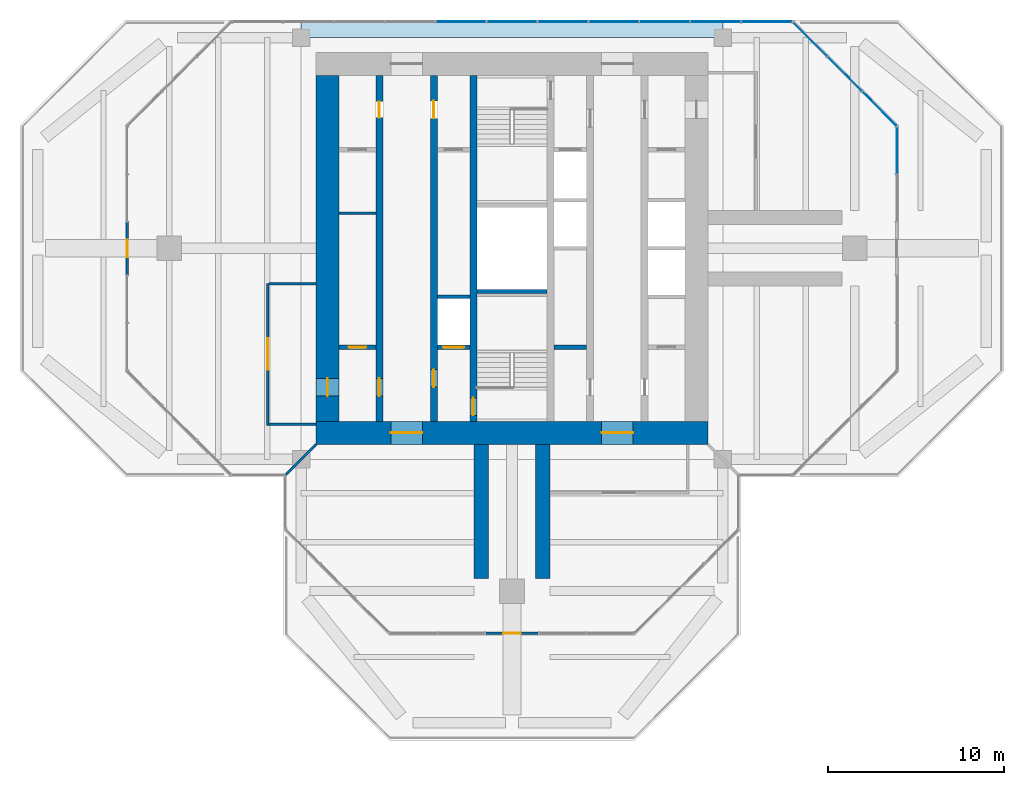
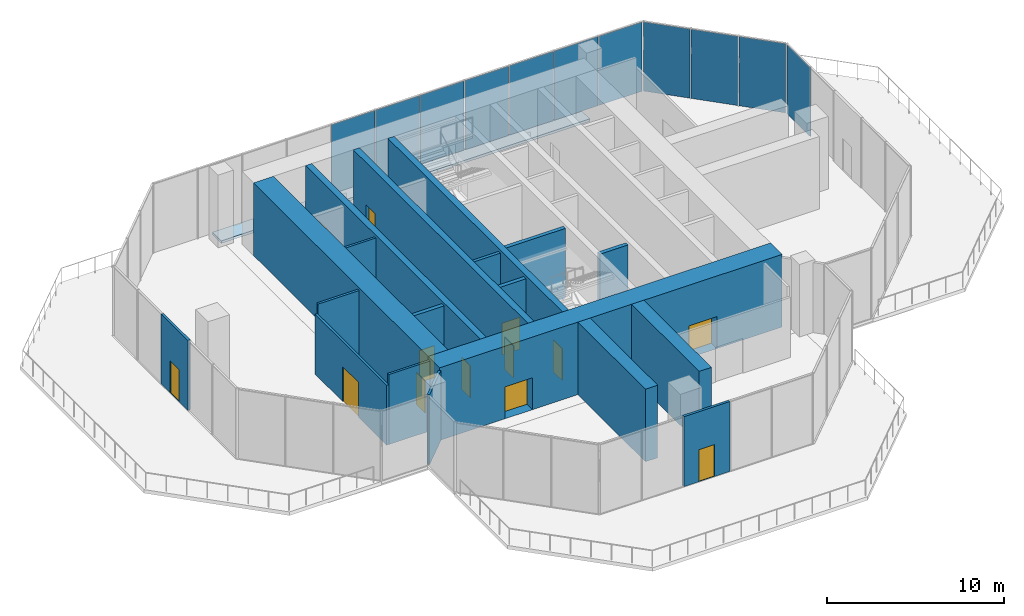
# One storey, part 9 of 13: 19 walls, 13 doors, 11 plates, 1 slab, 13 openings, 3 elements without a shape of their own.
"""IFC4 building model written with IfcOpenShell, lengths in metres."""

from ifc_helpers import new_model, si_unit, direction, frame, frame_2d, origin, origin_2d, place, context, subcontext, project, spatial, polyline, rectangle, outline, extrude, material, layer, layer_set, type_object, element, fill, aggregate, save


model = new_model("IFC4")

# Units and contexts
model_context = context("Model", 3, precision=1e-05, world=origin(), true_north=direction((0.0, 1.0)))
body_context = subcontext(model_context, "Body", "Model", "MODEL_VIEW")
ifc_project = project(units=[si_unit("LENGTHUNIT", "METRE"), si_unit("AREAUNIT", "SQUARE_METRE"), si_unit("VOLUMEUNIT", "CUBIC_METRE"), si_unit("PLANEANGLEUNIT", "RADIAN"), si_unit("MASSUNIT", "GRAM", prefix="KILO")], contexts=[model_context])

# Site, building, storey
site_placement = place(None, origin())
site = spatial("IfcSite", under=ifc_project, at=site_placement, CompositionType="ELEMENT")
building_placement = place(site_placement, origin())
building = spatial("IfcBuilding", under=site, at=building_placement, Name="Mizan Broadcast Tower", CompositionType="ELEMENT")
storey_placement = place(building_placement, frame((0.0, 0.0, 306.300048828125)))
storey = spatial("IfcBuildingStorey", under=building, at=storey_placement, Name="L73", CompositionType="ELEMENT", Elevation=306.300048828125)

# Curtain wall, plate
ifc_material_1 = material(Name="Aluminium framed glazing", Category="aluminium")
curtain_wall_type = type_object("IfcCurtainWallType", Name="LANTERN", PredefinedType="USERDEFINED", material=ifc_material_1)
curtain_wall_1_placement = place(storey_placement, origin())
curtain_wall_1 = element("IfcCurtainWall", 1, at=curtain_wall_1_placement, inside=storey, type_object=curtain_wall_type, Name="Lantern L73 E end", ObjectType="LANTERN", PredefinedType="USERDEFINED")
ifc_material_2 = material(Name="Double glazing, clear laminated", Category="glass")
ifc_layer_1 = layer(ifc_material_2, 0.031982421875)
ifc_layer_set_1 = layer_set([ifc_layer_1], Name="Double glazing, clear laminated")
plate_type = type_object("IfcPlateType", Name="PODIUM GLAZING UNIT", PredefinedType="CURTAIN_PANEL", material=ifc_layer_set_1)
plate_1_placement = place(storey_placement, frame((21.89990234375, 5.578857421875, 0.0), z_axis=(0.0, 0.0, 1.0), x_axis=(0.0, 1.0, 0.0)))
plate_1 = element("IfcPlate", 2, at=plate_1_placement, type_object=plate_type, Name="Lantern L73 E end panel 2.1", PredefinedType="CURTAIN_PANEL", context=body_context, shape_type="SweptSolid", body=[
    extrude(rectangle(XDim=2.639404296875, YDim=0.031982421875, at=origin_2d()), origin(), (0.0, 0.0, 1.0), 4.760009765625),
])
aggregate(curtain_wall_1, [plate_1])

# Curtain wall, plates
curtain_wall_2_placement = place(storey_placement, origin())
curtain_wall_2 = element("IfcCurtainWall", 3, at=curtain_wall_2_placement, inside=storey, type_object=curtain_wall_type, Name="Lantern L73 E chamfer", ObjectType="LANTERN", PredefinedType="USERDEFINED")
plate_2_placement = place(storey_placement, frame((20.899169921875, 7.95947265625, 0.0), z_axis=(0.0, 0.0, 1.0), x_axis=(-0.707106781187, 0.707106781187, 0.0)))
plate_2 = element("IfcPlate", 4, at=plate_2_placement, type_object=plate_type, Name="Lantern L73 E chamfer panel 1.1", PredefinedType="CURTAIN_PANEL", context=body_context, shape_type="SweptSolid", body=[
    extrude(rectangle(XDim=2.710693359375, YDim=0.031982421875, at=origin_2d()), origin(), (0.0, 0.0, 1.0), 4.760009765625),
])
plate_3_placement = place(storey_placement, frame((18.92919921875, 9.92919921875, 0.0), z_axis=(0.0, 0.0, 1.0), x_axis=(-0.707106781187, 0.707106781187, 0.0)))
plate_3 = element("IfcPlate", 5, at=plate_3_placement, type_object=plate_type, Name="Lantern L73 E chamfer panel 2.1", PredefinedType="CURTAIN_PANEL", context=body_context, shape_type="SweptSolid", body=[
    extrude(rectangle(XDim=2.74072265625, YDim=0.031982421875, at=origin_2d()), origin(), (0.0, 0.0, 1.0), 4.760009765625),
])
plate_4_placement = place(storey_placement, frame((16.95947265625, 11.899169921875, 0.0), z_axis=(0.0, 0.0, 1.0), x_axis=(-0.707106781187, 0.707106781187, 0.0)))
plate_4 = element("IfcPlate", 6, at=plate_4_placement, type_object=plate_type, Name="Lantern L73 E chamfer panel 3.1", PredefinedType="CURTAIN_PANEL", context=body_context, shape_type="SweptSolid", body=[
    extrude(rectangle(XDim=2.710693359375, YDim=0.031982421875, at=origin_2d()), origin(), (0.0, 0.0, 1.0), 4.760009765625),
])
aggregate(curtain_wall_2, [plate_2, plate_3, plate_4])

curtain_wall_3_placement = place(storey_placement, origin())
curtain_wall_3 = element("IfcCurtainWall", 7, at=curtain_wall_3_placement, inside=storey, type_object=curtain_wall_type, Name="Lantern L73 N end", ObjectType="LANTERN", PredefinedType="USERDEFINED")
plate_5_placement = place(storey_placement, frame((14.492919921875, 12.89990234375, 0.0), z_axis=(0.0, 0.0, 1.0), x_axis=(-1.0, 0.0, 0.0)))
plate_5 = element("IfcPlate", 8, at=plate_5_placement, type_object=plate_type, Name="Lantern L73 N end panel 1.1", PredefinedType="CURTAIN_PANEL", context=body_context, shape_type="SweptSolid", body=[
    extrude(rectangle(XDim=2.8115234375, YDim=0.031982421875, at=origin_2d()), origin(), (0.0, 0.0, 1.0), 4.760009765625),
])
plate_6_placement = place(storey_placement, frame((11.606201171875, 12.89990234375, 0.0), z_axis=(0.0, 0.0, 1.0), x_axis=(-1.0, 0.0, 0.0)))
plate_6 = element("IfcPlate", 9, at=plate_6_placement, type_object=plate_type, Name="Lantern L73 N end panel 2.1", PredefinedType="CURTAIN_PANEL", context=body_context, shape_type="SweptSolid", body=[
    extrude(rectangle(XDim=2.841552734375, YDim=0.031982421875, at=origin_2d()), origin(), (0.0, 0.0, 1.0), 4.760009765625),
])
plate_7_placement = place(storey_placement, frame((8.70458984375, 12.89990234375, 0.0), z_axis=(0.0, 0.0, 1.0), x_axis=(-1.0, 0.0, 0.0)))
plate_7 = element("IfcPlate", 10, at=plate_7_placement, type_object=plate_type, Name="Lantern L73 N end panel 3.1", PredefinedType="CURTAIN_PANEL", context=body_context, shape_type="SweptSolid", body=[
    extrude(rectangle(XDim=2.841552734375, YDim=0.031982421875, at=origin_2d()), origin(), (0.0, 0.0, 1.0), 4.760009765625),
])
plate_8_placement = place(storey_placement, frame((5.80322265625, 12.89990234375, 0.0), z_axis=(0.0, 0.0, 1.0), x_axis=(-1.0, 0.0, 0.0)))
plate_8 = element("IfcPlate", 11, at=plate_8_placement, type_object=plate_type, Name="Lantern L73 N end panel 4.1", PredefinedType="CURTAIN_PANEL", context=body_context, shape_type="SweptSolid", body=[
    extrude(rectangle(XDim=2.841552734375, YDim=0.031982421875, at=origin_2d()), origin(), (0.0, 0.0, 1.0), 4.760009765625),
])
plate_9_placement = place(storey_placement, frame((2.901611328125, 12.89990234375, 0.0), z_axis=(0.0, 0.0, 1.0), x_axis=(-1.0, 0.0, 0.0)))
plate_9 = element("IfcPlate", 12, at=plate_9_placement, type_object=plate_type, Name="Lantern L73 N end panel 5.1", PredefinedType="CURTAIN_PANEL", context=body_context, shape_type="SweptSolid", body=[
    extrude(rectangle(XDim=2.841552734375, YDim=0.031982421875, at=origin_2d()), origin(), (0.0, 0.0, 1.0), 4.760009765625),
])
plate_10_placement = place(storey_placement, frame((0.0, 12.89990234375, 0.0), z_axis=(0.0, 0.0, 1.0), x_axis=(-1.0, 0.0, 0.0)))
plate_10 = element("IfcPlate", 13, at=plate_10_placement, type_object=plate_type, Name="Lantern L73 N end panel 6.1", PredefinedType="CURTAIN_PANEL", context=body_context, shape_type="SweptSolid", body=[
    extrude(rectangle(XDim=2.841552734375, YDim=0.031982421875, at=origin_2d()), origin(), (0.0, 0.0, 1.0), 4.760009765625),
])
plate_11_placement = place(storey_placement, frame((-2.901611328125, 12.89990234375, 0.0), z_axis=(0.0, 0.0, 1.0), x_axis=(-1.0, 0.0, 0.0)))
plate_11 = element("IfcPlate", 14, at=plate_11_placement, type_object=plate_type, Name="Lantern L73 N end panel 7.1", PredefinedType="CURTAIN_PANEL", context=body_context, shape_type="SweptSolid", body=[
    extrude(rectangle(XDim=2.841552734375, YDim=0.031982421875, at=origin_2d()), origin(), (0.0, 0.0, 1.0), 4.760009765625),
])
aggregate(curtain_wall_3, [plate_5, plate_6, plate_7, plate_8, plate_9, plate_10, plate_11])

# Slab
ifc_material_3 = material(Name="Concrete C32/40", Category="concrete")
ifc_layer_2 = layer(ifc_material_3, 0.179931640625)
ifc_layer_set_2 = layer_set([ifc_layer_2], Name="Concrete C32/40")
slab_type = type_object("IfcSlabType", Name="RC SLAB ON DECK 180", PredefinedType="FLOOR", material=ifc_layer_set_2)
slab_placement = place(storey_placement, frame((0.0, 0.0, -0.179931640625)))
element("IfcSlab", 15, at=slab_placement, inside=storey, type_object=slab_type, Name="Floor slab L73 north arm", PredefinedType="FLOOR", context=body_context, shape_type="SweptSolid", body=[
    extrude(outline(polyline([(12.0, 13.0), (-12.0, 13.0), (-12.0, 12.0), (12.0, 12.0), (12.0, 13.0)])), origin(), (0.0, 0.0, 1.0), 0.179931640625),
])

# Wall, openings, doors
ifc_material_4 = material(Name="Concrete C70/85", Category="concrete")
ifc_layer_3 = layer(ifc_material_4, 0.39990234375)
ifc_layer_set_3 = layer_set([ifc_layer_3], Name="Concrete C70/85")
wall_type_1 = type_object("IfcWallType", Name="CORE INTERNAL WALL 400", PredefinedType="SHEAR", material=ifc_layer_set_3)
wall_1_placement = place(storey_placement, frame((-7.550048828125, -9.85009765625, 0.0), z_axis=(0.0, 0.0, 1.0), x_axis=(0.0, 1.0, 0.0)))
wall_1 = element("IfcWall", 16, at=wall_1_placement, inside=storey, type_object=wall_type_1, Name="Core wall CORE/XW1", PredefinedType="SHEAR", context=body_context, shape_type="SweptSolid", body=[
    extrude(rectangle(XDim=19.7001953125, YDim=0.39990234375, at=frame_2d((9.85009765625, 0.0))), origin(), (0.0, 0.0, 1.0), 5.0),
])
opening_1_placement = place(wall_1_placement, frame((1.449951171875, 0.0, 0.0)))
opening_1 = element("IfcOpeningElement", 17, at=opening_1_placement, cuts=wall_1, Name="Opening D10F", PredefinedType="OPENING", context=body_context, shape_type="SweptSolid", body=[
    extrude(rectangle(XDim=1.0, YDim=2.199951171875, at=frame_2d((0.5, 1.10009765625))), frame((0.0, 0.2099609375, 0.0), z_axis=(0.0, -1.0, 0.0), x_axis=(1.0, 0.0, 0.0)), (0.0, 0.0, 1.0), 0.419921875),
])
opening_2_placement = place(wall_1_placement, frame((17.300048828125, 0.0, 0.0)))
opening_2 = element("IfcOpeningElement", 18, at=opening_2_placement, cuts=wall_1, Name="Opening D09", PredefinedType="OPENING", context=body_context, shape_type="SweptSolid", body=[
    extrude(rectangle(XDim=0.89990234375, YDim=2.10009765625, at=frame_2d((0.449951171875, 1.050048828125))), frame((0.0, 0.2099609375, 0.0), z_axis=(0.0, -1.0, 0.0), x_axis=(1.0, 0.0, 0.0)), (0.0, 0.0, 1.0), 0.419921875),
])
ifc_material_5 = material(Name="Steel door leaf in steel frame", Category="steel")
door_type_1 = type_object("IfcDoorType", Name="FIRE DOOR 1000 FD90", OperationType="SINGLE_SWING_LEFT", PredefinedType="DOOR", material=ifc_material_5)
door_1_placement = place(opening_1_placement, origin())
door_1 = element("IfcDoor", 19, at=door_1_placement, inside=storey, type_object=door_type_1, Name="West core passage door", OperationType="SINGLE_SWING_LEFT", OverallHeight=2.199951171875, OverallWidth=1.0, PredefinedType="DOOR", context=body_context, shape_type="SweptSolid", body=[
    extrude(rectangle(XDim=1.0, YDim=2.199951171875, at=frame_2d((0.5, 1.10009765625))), frame((0.0, 0.02490234375, 0.0), z_axis=(0.0, -1.0, 0.0), x_axis=(1.0, 0.0, 0.0)), (0.0, 0.0, 1.0), 0.050048828125),
])
fill(opening_1, door_1)
ifc_material_6 = material(Name="Timber door leaf in aluminium frame", Category="wood")
door_type_2 = type_object("IfcDoorType", Name="TOILET DOOR 900", OperationType="SINGLE_SWING_LEFT", PredefinedType="DOOR", material=ifc_material_6)
door_2_placement = place(opening_2_placement, origin())
door_2 = element("IfcDoor", 20, at=door_2_placement, inside=storey, type_object=door_type_2, Name="Male WC door", OperationType="SINGLE_SWING_RIGHT", OverallHeight=2.10009765625, OverallWidth=0.89990234375, PredefinedType="DOOR", context=body_context, shape_type="SweptSolid", body=[
    extrude(rectangle(XDim=0.89990234375, YDim=2.10009765625, at=frame_2d((0.449951171875, 1.050048828125))), frame((0.0, 0.02490234375, 0.0), z_axis=(0.0, -1.0, 0.0), x_axis=(1.0, 0.0, 0.0)), (0.0, 0.0, 1.0), 0.050048828125),
])
fill(opening_2, door_2)

wall_2_placement = place(storey_placement, frame((-4.449951171875, -9.85009765625, 0.0), z_axis=(0.0, 0.0, 1.0), x_axis=(0.0, 1.0, 0.0)))
wall_2 = element("IfcWall", 21, at=wall_2_placement, inside=storey, type_object=wall_type_1, Name="Core wall CORE/XWH", PredefinedType="SHEAR", context=body_context, shape_type="SweptSolid", body=[
    extrude(rectangle(XDim=19.7001953125, YDim=0.39990234375, at=frame_2d((9.85009765625, 0.0))), origin(), (0.0, 0.0, 1.0), 5.0),
])
opening_3_placement = place(wall_2_placement, frame((1.949951171875, 0.0, 0.0)))
opening_3 = element("IfcOpeningElement", 22, at=opening_3_placement, cuts=wall_2, Name="Opening D10F", PredefinedType="OPENING", context=body_context, shape_type="SweptSolid", body=[
    extrude(rectangle(XDim=1.0, YDim=2.199951171875, at=frame_2d((0.5, 1.10009765625))), frame((0.0, 0.2099609375, 0.0), z_axis=(0.0, -1.0, 0.0), x_axis=(1.0, 0.0, 0.0)), (0.0, 0.0, 1.0), 0.419921875),
])
opening_4_placement = place(wall_2_placement, frame((17.25, 0.0, 0.0)))
opening_4 = element("IfcOpeningElement", 23, at=opening_4_placement, cuts=wall_2, Name="Opening D10A", PredefinedType="OPENING", context=body_context, shape_type="SweptSolid", body=[
    extrude(rectangle(XDim=1.0, YDim=2.10009765625, at=frame_2d((0.5, 1.050048828125))), frame((0.0, 0.2099609375, 0.0), z_axis=(0.0, -1.0, 0.0), x_axis=(1.0, 0.0, 0.0)), (0.0, 0.0, 1.0), 0.419921875),
])
ifc_material_7 = material(Name="Timber door leaf in aluminium frame", Category="wood")
door_type_3 = type_object("IfcDoorType", Name="ACCESSIBLE WC DOOR 1000", OperationType="SLIDING_TO_LEFT", PredefinedType="DOOR", material=ifc_material_7)
door_3_placement = place(opening_4_placement, origin())
door_3 = element("IfcDoor", 24, at=door_3_placement, inside=storey, type_object=door_type_3, Name="Accessible WC door", OperationType="SLIDING_TO_LEFT", OverallHeight=2.10009765625, OverallWidth=1.0, PredefinedType="DOOR", context=body_context, shape_type="SweptSolid", body=[
    extrude(rectangle(XDim=1.0, YDim=2.10009765625, at=frame_2d((0.5, 1.050048828125))), frame((0.0, 0.02490234375, 0.0), z_axis=(0.0, -1.0, 0.0), x_axis=(1.0, 0.0, 0.0)), (0.0, 0.0, 1.0), 0.050048828125),
])
fill(opening_4, door_3)
door_4_placement = place(opening_3_placement, origin())
door_4 = element("IfcDoor", 25, at=door_4_placement, inside=storey, type_object=door_type_1, Name="Firefighting lobby A door", OperationType="SINGLE_SWING_LEFT", OverallHeight=2.199951171875, OverallWidth=1.0, PredefinedType="DOOR", context=body_context, shape_type="SweptSolid", body=[
    extrude(rectangle(XDim=1.0, YDim=2.199951171875, at=frame_2d((0.5, 1.10009765625))), frame((0.0, 0.02490234375, 0.0), z_axis=(0.0, -1.0, 0.0), x_axis=(1.0, 0.0, 0.0)), (0.0, 0.0, 1.0), 0.050048828125),
])
fill(opening_3, door_4)

# Wall, opening, door
wall_3_placement = place(storey_placement, frame((-2.199951171875, -9.85009765625, 0.0), z_axis=(0.0, 0.0, 1.0), x_axis=(0.0, 1.0, 0.0)))
wall_3 = element("IfcWall", 26, at=wall_3_placement, inside=storey, type_object=wall_type_1, Name="Core wall CORE/XW2", PredefinedType="SHEAR", context=body_context, shape_type="SweptSolid", body=[
    extrude(rectangle(XDim=19.7001953125, YDim=0.39990234375, at=frame_2d((9.85009765625, 0.0))), origin(), (0.0, 0.0, 1.0), 5.0),
])
opening_5_placement = place(wall_3_placement, frame((0.35009765625, 0.0, 0.0)))
opening_5 = element("IfcOpeningElement", 27, at=opening_5_placement, cuts=wall_3, Name="Opening D10S", PredefinedType="OPENING", context=body_context, shape_type="SweptSolid", body=[
    extrude(rectangle(XDim=1.0, YDim=2.199951171875, at=frame_2d((0.5, 1.10009765625))), frame((0.0, 0.2099609375, 0.0), z_axis=(0.0, -1.0, 0.0), x_axis=(1.0, 0.0, 0.0)), (0.0, 0.0, 1.0), 0.419921875),
])
ifc_material_8 = material(Name="Steel door leaf in steel frame", Category="steel")
door_type_4 = type_object("IfcDoorType", Name="STAIR DOOR 1000 FD90S", OperationType="SINGLE_SWING_RIGHT", PredefinedType="DOOR", material=ifc_material_8)
door_5_placement = place(opening_5_placement, origin())
door_5 = element("IfcDoor", 28, at=door_5_placement, inside=storey, type_object=door_type_4, Name="Stair A door", OperationType="SINGLE_SWING_RIGHT", OverallHeight=2.199951171875, OverallWidth=1.0, PredefinedType="DOOR", context=body_context, shape_type="SweptSolid", body=[
    extrude(rectangle(XDim=1.0, YDim=2.199951171875, at=frame_2d((0.5, 1.10009765625))), frame((0.0, 0.02490234375, 0.0), z_axis=(0.0, -1.0, 0.0), x_axis=(1.0, 0.0, 0.0)), (0.0, 0.0, 1.0), 0.050048828125),
])
fill(opening_5, door_5)

# Wall
ifc_material_9 = material(Name="Concrete blockwork", Category="masonry")
ifc_layer_4 = layer(ifc_material_9, 0.14990234375)
ifc_layer_set_4 = layer_set([ifc_layer_4], Name="Concrete blockwork")
wall_type_2 = type_object("IfcWallType", Name="CORE PARTITION 150", PredefinedType="SOLIDWALL", material=ifc_layer_set_4)
wall_4_placement = place(storey_placement, frame((-9.85009765625, 2.0, 0.0), z_axis=(0.0, 0.0, 1.0), x_axis=(1.0, 0.0, 0.0)))
element("IfcWall", 29, at=wall_4_placement, inside=storey, type_object=wall_type_2, Name="Core partition CORE/XP1", PredefinedType="SOLIDWALL", context=body_context, shape_type="SweptSolid", body=[
    extrude(rectangle(XDim=2.10009765625, YDim=0.14990234375, at=frame_2d((1.050048828125, 0.0))), origin(), (0.0, 0.0, 1.0), 4.820068359375),
])

# Wall, openings, doors
ifc_material_10 = material(Name="Concrete C70/85", Category="concrete")
ifc_layer_5 = layer(ifc_material_10, 1.300048828125)
ifc_layer_set_5 = layer_set([ifc_layer_5], Name="Concrete C70/85")
wall_type_3 = type_object("IfcWallType", Name="CORE WALL 1300", PredefinedType="SHEAR", material=ifc_layer_set_5)
wall_5_placement = place(storey_placement, frame((11.14990234375, -10.5, 0.0), z_axis=(0.0, 0.0, 1.0), x_axis=(-1.0, 0.0, 0.0)))
wall_5 = element("IfcWall", 30, at=wall_5_placement, inside=storey, type_object=wall_type_3, Name="Core wall S L73", PredefinedType="SHEAR", context=body_context, shape_type="SweptSolid", body=[
    extrude(rectangle(XDim=22.2998046875, YDim=1.300048828125, at=frame_2d((11.14990234375, 0.0))), origin(), (0.0, 0.0, 1.0), 5.0),
])
opening_6_placement = place(wall_5_placement, frame((16.25, 0.0, 0.0)))
opening_6 = element("IfcOpeningElement", 31, at=opening_6_placement, cuts=wall_5, Name="Opening D18F", PredefinedType="OPENING", context=body_context, shape_type="SweptSolid", body=[
    extrude(rectangle(XDim=1.800048828125, YDim=2.199951171875, at=frame_2d((0.89990234375, 1.10009765625))), frame((0.0, 0.659912109375, 0.0), z_axis=(0.0, -1.0, 0.0), x_axis=(1.0, 0.0, 0.0)), (0.0, 0.0, 1.0), 1.320068359375),
])
opening_7_placement = place(wall_5_placement, frame((4.25, 0.0, 0.0)))
opening_7 = element("IfcOpeningElement", 32, at=opening_7_placement, cuts=wall_5, Name="Opening D18F", PredefinedType="OPENING", context=body_context, shape_type="SweptSolid", body=[
    extrude(rectangle(XDim=1.800048828125, YDim=2.199951171875, at=frame_2d((0.89990234375, 1.10009765625))), frame((0.0, 0.659912109375, 0.0), z_axis=(0.0, -1.0, 0.0), x_axis=(1.0, 0.0, 0.0)), (0.0, 0.0, 1.0), 1.320068359375),
])
ifc_material_11 = material(Name="Steel door leaf in steel frame", Category="steel")
door_type_5 = type_object("IfcDoorType", Name="LOBBY DOUBLE DOOR 1800 FD90", OperationType="DOUBLE_DOOR_DOUBLE_SWING", PredefinedType="DOOR", material=ifc_material_11)
door_6_placement = place(opening_6_placement, origin())
door_6 = element("IfcDoor", 33, at=door_6_placement, inside=storey, type_object=door_type_5, Name="West lift lobby south door", OperationType="DOUBLE_DOOR_DOUBLE_SWING", OverallHeight=2.199951171875, OverallWidth=1.800048828125, PredefinedType="DOOR", context=body_context, shape_type="SweptSolid", body=[
    extrude(rectangle(XDim=1.800048828125, YDim=2.199951171875, at=frame_2d((0.89990234375, 1.10009765625))), frame((0.0, 0.02490234375, 0.0), z_axis=(0.0, -1.0, 0.0), x_axis=(1.0, 0.0, 0.0)), (0.0, 0.0, 1.0), 0.050048828125),
])
fill(opening_6, door_6)
door_7_placement = place(opening_7_placement, origin())
door_7 = element("IfcDoor", 34, at=door_7_placement, inside=storey, type_object=door_type_5, Name="East lift lobby south door", OperationType="DOUBLE_DOOR_DOUBLE_SWING", OverallHeight=2.199951171875, OverallWidth=1.800048828125, PredefinedType="DOOR", context=body_context, shape_type="SweptSolid", body=[
    extrude(rectangle(XDim=1.800048828125, YDim=2.199951171875, at=frame_2d((0.89990234375, 1.10009765625))), frame((0.0, 0.02490234375, 0.0), z_axis=(0.0, -1.0, 0.0), x_axis=(1.0, 0.0, 0.0)), (0.0, 0.0, 1.0), 0.050048828125),
])
fill(opening_7, door_7)

# Wall, opening, door
wall_6_placement = place(storey_placement, frame((-10.5, 9.85009765625, 0.0), z_axis=(0.0, 0.0, 1.0), x_axis=(0.0, -1.0, 0.0)))
wall_6 = element("IfcWall", 35, at=wall_6_placement, inside=storey, type_object=wall_type_3, Name="Core wall W L73", PredefinedType="SHEAR", context=body_context, shape_type="SweptSolid", body=[
    extrude(rectangle(XDim=19.7001953125, YDim=1.300048828125, at=frame_2d((9.85009765625, 0.0))), origin(), (0.0, 0.0, 1.0), 5.0),
])
opening_8_placement = place(wall_6_placement, frame((17.25, 0.0, 0.0)))
opening_8 = element("IfcOpeningElement", 36, at=opening_8_placement, cuts=wall_6, Name="Opening D10F", PredefinedType="OPENING", context=body_context, shape_type="SweptSolid", body=[
    extrude(rectangle(XDim=1.0, YDim=2.199951171875, at=frame_2d((0.5, 1.10009765625))), frame((0.0, 0.659912109375, 0.0), z_axis=(0.0, -1.0, 0.0), x_axis=(1.0, 0.0, 0.0)), (0.0, 0.0, 1.0), 1.320068359375),
])
door_8_placement = place(opening_8_placement, origin())
door_8 = element("IfcDoor", 37, at=door_8_placement, inside=storey, type_object=door_type_1, Name="West core passage arm door", OperationType="SINGLE_SWING_RIGHT", OverallHeight=2.199951171875, OverallWidth=1.0, PredefinedType="DOOR", context=body_context, shape_type="SweptSolid", body=[
    extrude(rectangle(XDim=1.0, YDim=2.199951171875, at=frame_2d((0.5, 1.10009765625))), frame((0.0, 0.02490234375, 0.0), z_axis=(0.0, -1.0, 0.0), x_axis=(1.0, 0.0, 0.0)), (0.0, 0.0, 1.0), 0.050048828125),
])
fill(opening_8, door_8)

ifc_material_12 = material(Name="Aluminium framed glazed screen", Category="aluminium")
ifc_layer_6 = layer(ifc_material_12, 0.159912109375)
ifc_layer_set_6 = layer_set([ifc_layer_6], Name="Aluminium framed glazed screen")
wall_type_4 = type_object("IfcWallType", Name="GLAZED SCREEN WALL 160", PredefinedType="SOLIDWALL", material=ifc_layer_set_6)
wall_7_placement = place(storey_placement, frame((-21.89990234375, 1.5, 0.0), z_axis=(0.0, 0.0, 1.0), x_axis=(0.0, -1.0, 0.0)))
wall_7 = element("IfcWall", 38, at=wall_7_placement, inside=storey, type_object=wall_type_4, Name="Roof access screen wall L73 W", PredefinedType="SOLIDWALL", context=body_context, shape_type="SweptSolid", body=[
    extrude(rectangle(XDim=3.0, YDim=0.159912109375, at=frame_2d((1.5, 0.0))), origin(), (0.0, 0.0, 1.0), 4.820068359375),
])
opening_9_placement = place(wall_7_placement, frame((1.0, 0.0, 0.0)))
opening_9 = element("IfcOpeningElement", 39, at=opening_9_placement, cuts=wall_7, Name="Opening RA", PredefinedType="OPENING", context=body_context, shape_type="SweptSolid", body=[
    extrude(rectangle(XDim=1.0, YDim=2.199951171875, at=frame_2d((0.5, 1.10009765625))), frame((0.0, 0.08984375, 0.0), z_axis=(0.0, -1.0, 0.0), x_axis=(1.0, 0.0, 0.0)), (0.0, 0.0, 1.0), 0.179931640625),
])
ifc_material_13 = material(Name="Steel door", Category="steel")
door_type_6 = type_object("IfcDoorType", Name="ROOF ACCESS DOOR 1000", OperationType="SINGLE_SWING_LEFT", PredefinedType="DOOR", material=ifc_material_13)
door_9_placement = place(opening_9_placement, origin())
door_9 = element("IfcDoor", 40, at=door_9_placement, inside=storey, type_object=door_type_6, Name="Roof access door L73 W", OperationType="SINGLE_SWING_LEFT", OverallHeight=2.199951171875, OverallWidth=1.0, PredefinedType="DOOR", context=body_context, shape_type="SweptSolid", body=[
    extrude(rectangle(XDim=1.0, YDim=2.199951171875, at=frame_2d((0.5, 1.10009765625))), frame((0.0, 0.02490234375, 0.0), z_axis=(0.0, -1.0, 0.0), x_axis=(1.0, 0.0, 0.0)), (0.0, 0.0, 1.0), 0.050048828125),
])
fill(opening_9, door_9)

wall_8_placement = place(storey_placement, frame((-1.5, -21.89990234375, 0.0), z_axis=(0.0, 0.0, 1.0), x_axis=(1.0, 0.0, 0.0)))
wall_8 = element("IfcWall", 41, at=wall_8_placement, inside=storey, type_object=wall_type_4, Name="Roof access screen wall L73 S", PredefinedType="SOLIDWALL", context=body_context, shape_type="SweptSolid", body=[
    extrude(rectangle(XDim=3.0, YDim=0.159912109375, at=frame_2d((1.5, 0.0))), origin(), (0.0, 0.0, 1.0), 4.820068359375),
])
opening_10_placement = place(wall_8_placement, frame((1.0, 0.0, 0.0)))
opening_10 = element("IfcOpeningElement", 42, at=opening_10_placement, cuts=wall_8, Name="Opening RA", PredefinedType="OPENING", context=body_context, shape_type="SweptSolid", body=[
    extrude(rectangle(XDim=1.0, YDim=2.199951171875, at=frame_2d((0.5, 1.10009765625))), frame((0.0, 0.08984375, 0.0), z_axis=(0.0, -1.0, 0.0), x_axis=(1.0, 0.0, 0.0)), (0.0, 0.0, 1.0), 0.179931640625),
])
door_10_placement = place(opening_10_placement, origin())
door_10 = element("IfcDoor", 43, at=door_10_placement, inside=storey, type_object=door_type_6, Name="Roof access door L73 S", OperationType="SINGLE_SWING_LEFT", OverallHeight=2.199951171875, OverallWidth=1.0, PredefinedType="DOOR", context=body_context, shape_type="SweptSolid", body=[
    extrude(rectangle(XDim=1.0, YDim=2.199951171875, at=frame_2d((0.5, 1.10009765625))), frame((0.0, 0.02490234375, 0.0), z_axis=(0.0, -1.0, 0.0), x_axis=(1.0, 0.0, 0.0)), (0.0, 0.0, 1.0), 0.050048828125),
])
fill(opening_10, door_10)

# Wall
ifc_material_14 = material(Name="Concrete blockwork", Category="masonry")
ifc_layer_7 = layer(ifc_material_14, 0.199951171875)
ifc_layer_set_7 = layer_set([ifc_layer_7], Name="Concrete blockwork")
wall_type_5 = type_object("IfcWallType", Name="LIFT SHAFT WALL 200", PredefinedType="SOLIDWALL", material=ifc_layer_set_7)
wall_9_placement = place(storey_placement, frame((-4.25, -2.75, 0.0), z_axis=(0.0, 0.0, 1.0), x_axis=(1.0, 0.0, 0.0)))
element("IfcWall", 44, at=wall_9_placement, inside=storey, type_object=wall_type_5, Name="Lift shaft wall CORE/SW2-1", PredefinedType="SOLIDWALL", context=body_context, shape_type="SweptSolid", body=[
    extrude(rectangle(XDim=1.85009765625, YDim=0.199951171875, at=frame_2d((0.925048828125, 0.0))), origin(), (0.0, 0.0, 1.0), 4.800048828125),
])

# Wall, opening, door
ifc_material_15 = material(Name="Concrete blockwork", Category="masonry")
ifc_layer_8 = layer(ifc_material_15, 0.25)
ifc_layer_set_8 = layer_set([ifc_layer_8], Name="Concrete blockwork")
wall_type_6 = type_object("IfcWallType", Name="LOBBY ENCLOSURE WALL 250", PredefinedType="SOLIDWALL", material=ifc_layer_set_8)
wall_10_placement = place(storey_placement, frame((-9.85009765625, -5.625, 0.0), z_axis=(0.0, 0.0, 1.0), x_axis=(1.0, 0.0, 0.0)))
wall_10 = element("IfcWall", 45, at=wall_10_placement, inside=storey, type_object=wall_type_6, Name="Lobby enclosure wall CORE/BW1S", PredefinedType="SOLIDWALL", context=body_context, shape_type="SweptSolid", body=[
    extrude(rectangle(XDim=2.10009765625, YDim=0.25, at=frame_2d((1.050048828125, 0.0))), origin(), (0.0, 0.0, 1.0), 4.800048828125),
])
opening_11_placement = place(wall_10_placement, frame((0.550048828125, 0.0, 0.0)))
opening_11 = element("IfcOpeningElement", 46, at=opening_11_placement, cuts=wall_10, Name="Opening D10F", PredefinedType="OPENING", context=body_context, shape_type="SweptSolid", body=[
    extrude(rectangle(XDim=1.0, YDim=2.199951171875, at=frame_2d((0.5, 1.10009765625))), frame((0.0, 0.135009765625, 0.0), z_axis=(0.0, -1.0, 0.0), x_axis=(1.0, 0.0, 0.0)), (0.0, 0.0, 1.0), 0.27001953125),
])
door_11_placement = place(opening_11_placement, origin())
door_11 = element("IfcDoor", 47, at=door_11_placement, inside=storey, type_object=door_type_1, Name="Engineer's office door", OperationType="SINGLE_SWING_RIGHT", OverallHeight=2.199951171875, OverallWidth=1.0, PredefinedType="DOOR", context=body_context, shape_type="SweptSolid", body=[
    extrude(rectangle(XDim=1.0, YDim=2.199951171875, at=frame_2d((0.5, 1.10009765625))), frame((0.0, 0.02490234375, 0.0), z_axis=(0.0, -1.0, 0.0), x_axis=(1.0, 0.0, 0.0)), (0.0, 0.0, 1.0), 0.050048828125),
])
fill(opening_11, door_11)

wall_11_placement = place(storey_placement, frame((-4.25, -5.625, 0.0), z_axis=(0.0, 0.0, 1.0), x_axis=(1.0, 0.0, 0.0)))
wall_11 = element("IfcWall", 48, at=wall_11_placement, inside=storey, type_object=wall_type_6, Name="Lobby enclosure wall CORE/BW2S", PredefinedType="SOLIDWALL", context=body_context, shape_type="SweptSolid", body=[
    extrude(rectangle(XDim=1.85009765625, YDim=0.25, at=frame_2d((0.925048828125, 0.0))), origin(), (0.0, 0.0, 1.0), 4.800048828125),
])
opening_12_placement = place(wall_11_placement, frame((0.324951171875, 0.0, 0.0)))
opening_12 = element("IfcOpeningElement", 49, at=opening_12_placement, cuts=wall_11, Name="Opening LDF", PredefinedType="OPENING", context=body_context, shape_type="SweptSolid", body=[
    extrude(rectangle(XDim=1.199951171875, YDim=2.199951171875, at=frame_2d((0.60009765625, 1.10009765625))), frame((0.0, 0.135009765625, 0.0), z_axis=(0.0, -1.0, 0.0), x_axis=(1.0, 0.0, 0.0)), (0.0, 0.0, 1.0), 0.27001953125),
])
ifc_material_16 = material(Name="Steel door leaf in steel frame", Category="steel")
door_type_7 = type_object("IfcDoorType", Name="FIREFIGHTING LIFT LANDING DOOR 1200", OperationType="SLIDING_TO_LEFT", PredefinedType="DOOR", material=ifc_material_16)
door_12_placement = place(opening_12_placement, origin())
door_12 = element("IfcDoor", 50, at=door_12_placement, inside=storey, type_object=door_type_7, Name="Landing door FF1", OperationType="SLIDING_TO_LEFT", OverallHeight=2.199951171875, OverallWidth=1.199951171875, PredefinedType="DOOR", context=body_context, shape_type="SweptSolid", body=[
    extrude(rectangle(XDim=1.199951171875, YDim=2.199951171875, at=frame_2d((0.60009765625, 1.10009765625))), frame((0.0, 0.02490234375, 0.0), z_axis=(0.0, -1.0, 0.0), x_axis=(1.0, 0.0, 0.0)), (0.0, 0.0, 1.0), 0.050048828125),
])
fill(opening_12, door_12)

# Walls
wall_12_placement = place(storey_placement, frame((2.39990234375, -5.625, 0.0), z_axis=(0.0, 0.0, 1.0), x_axis=(1.0, 0.0, 0.0)))
element("IfcWall", 51, at=wall_12_placement, inside=storey, type_object=wall_type_6, Name="Lobby enclosure wall CORE/BE2S", PredefinedType="SOLIDWALL", context=body_context, shape_type="SweptSolid", body=[
    extrude(rectangle(XDim=1.85009765625, YDim=0.25, at=frame_2d((0.925048828125, 0.0))), origin(), (0.0, 0.0, 1.0), 4.800048828125),
])
wall_13_placement = place(storey_placement, frame((-2.0, -2.449951171875, 0.0), z_axis=(0.0, 0.0, 1.0), x_axis=(1.0, 0.0, 0.0)))
element("IfcWall", 52, at=wall_13_placement, inside=storey, type_object=wall_type_6, Name="Lobby enclosure wall CORE/STA", PredefinedType="SOLIDWALL", context=body_context, shape_type="SweptSolid", body=[
    extrude(rectangle(XDim=4.0, YDim=0.25, at=frame_2d((2.0, 0.0))), origin(), (0.0, 0.0, 1.0), 4.800048828125),
])
ifc_material_17 = material(Name="Gypsum board on steel studs", Category="steel")
ifc_layer_9 = layer(ifc_material_17, 0.14990234375)
ifc_layer_set_9 = layer_set([ifc_layer_9], Name="Gypsum board on steel studs")
wall_type_7 = type_object("IfcWallType", Name="PARTITION 150", PredefinedType="PARTITIONING", material=ifc_layer_set_9)
wall_14_placement = place(storey_placement, frame((-11.14990234375, -11.14990234375, 0.0), z_axis=(0.0, 0.0, 1.0), x_axis=(-0.707106781187, -0.707106781187, 0.0)))
element("IfcWall", 53, at=wall_14_placement, inside=storey, type_object=wall_type_7, Name="Partition PT/DGWS", PredefinedType="PARTITIONING", context=body_context, shape_type="SweptSolid", body=[
    extrude(rectangle(XDim=2.460693359375, YDim=0.14990234375, at=frame_2d((1.23046875, 0.0))), origin(), (0.0, 0.0, 1.0), 4.820068359375),
])

# Wall, opening, door
ifc_material_18 = material(Name="Concrete blockwork", Category="masonry")
ifc_layer_10 = layer(ifc_material_18, 0.14990234375)
ifc_layer_set_10 = layer_set([ifc_layer_10], Name="Concrete blockwork")
wall_type_8 = type_object("IfcWallType", Name="PLANT ROOM ENCLOSURE WALL 150", PredefinedType="SOLIDWALL", material=ifc_layer_set_10)
wall_15_placement = place(storey_placement, frame((-13.89990234375, -2.0, 0.0), z_axis=(0.0, 0.0, 1.0), x_axis=(0.0, -1.0, 0.0)))
wall_15 = element("IfcWall", 54, at=wall_15_placement, inside=storey, type_object=wall_type_8, Name="Plant room wall PT/WLU", PredefinedType="SOLIDWALL", context=body_context, shape_type="SweptSolid", body=[
    extrude(rectangle(XDim=8.074951171875, YDim=0.14990234375, at=frame_2d((4.03759765625, 0.0))), origin(), (0.0, 0.0, 1.0), 4.1298828125),
])
opening_13_placement = place(wall_15_placement, frame((3.10009765625, 0.0, 0.0)))
opening_13 = element("IfcOpeningElement", 55, at=opening_13_placement, cuts=wall_15, Name="Opening D18P", PredefinedType="OPENING", context=body_context, shape_type="SweptSolid", body=[
    extrude(rectangle(XDim=1.800048828125, YDim=2.39990234375, at=frame_2d((0.89990234375, 1.199951171875))), frame((0.0, 0.0849609375, 0.0), z_axis=(0.0, -1.0, 0.0), x_axis=(1.0, 0.0, 0.0)), (0.0, 0.0, 1.0), 0.169921875),
])
ifc_material_19 = material(Name="Steel door leaf in steel frame", Category="steel")
door_type_8 = type_object("IfcDoorType", Name="PLANT ROOM DOUBLE DOOR 1800x2400 FD90", OperationType="DOUBLE_DOOR_DOUBLE_SWING", PredefinedType="DOOR", material=ifc_material_19)
door_13_placement = place(opening_13_placement, origin())
door_13 = element("IfcDoor", 56, at=door_13_placement, inside=storey, type_object=door_type_8, Name="Pump and tank room door", OperationType="DOUBLE_DOOR_DOUBLE_SWING", OverallHeight=2.39990234375, OverallWidth=1.800048828125, PredefinedType="DOOR", context=body_context, shape_type="SweptSolid", body=[
    extrude(rectangle(XDim=1.800048828125, YDim=2.39990234375, at=frame_2d((0.89990234375, 1.199951171875))), frame((0.0, 0.02490234375, 0.0), z_axis=(0.0, -1.0, 0.0), x_axis=(1.0, 0.0, 0.0)), (0.0, 0.0, 1.0), 0.050048828125),
])
fill(opening_13, door_13)

# Walls
for number, where, z_axis, x_axis, name in (
    (57, (-11.14990234375, -10.0, 0.0), (0.0, 0.0, 1.0), (-1.0, 0.0, 0.0), "Plant room wall PT/WLV"),
    (58, (-11.14990234375, -2.0, 0.0), (0.0, 0.0, 1.0), (-1.0, 0.0, 0.0), "Plant room wall PT/WLS"),
):
    element("IfcWall", number, at=place(storey_placement, frame(where, z_axis=z_axis, x_axis=x_axis)), inside=storey, type_object=wall_type_8, Name=name, PredefinedType="SOLIDWALL", context=body_context, shape_type="SweptSolid", body=[
        extrude(rectangle(XDim=2.675048828125, YDim=0.14990234375, at=frame_2d((1.33740234375, 0.0))), origin(), (0.0, 0.0, 1.0), 4.820068359375),
    ])
ifc_material_20 = material(Name="Concrete C70/85", Category="concrete")
ifc_layer_11 = layer(ifc_material_20, 0.800048828125)
ifc_layer_set_11 = layer_set([ifc_layer_11], Name="Concrete C70/85")
wall_type_9 = type_object("IfcWallType", Name="SPINE WALL 800", PredefinedType="SHEAR", material=ifc_layer_set_11)
for number, where, z_axis, x_axis, name in (
    (59, (-1.75, -11.14990234375, 0.0), (0.0, 0.0, 1.0), (0.0, -1.0, 0.0), "Spine wall SR L73"),
    (60, (1.75, -11.14990234375, 0.0), (0.0, 0.0, 1.0), (0.0, -1.0, 0.0), "Spine wall SL L73"),
):
    element("IfcWall", number, at=place(storey_placement, frame(where, z_axis=z_axis, x_axis=x_axis)), inside=storey, type_object=wall_type_9, Name=name, PredefinedType="SHEAR", context=body_context, shape_type="SweptSolid", body=[
        extrude(rectangle(XDim=7.625, YDim=0.800048828125, at=frame_2d((3.8125, 0.0))), origin(), (0.0, 0.0, 1.0), 5.0),
    ])

save(model, "model.ifc")
